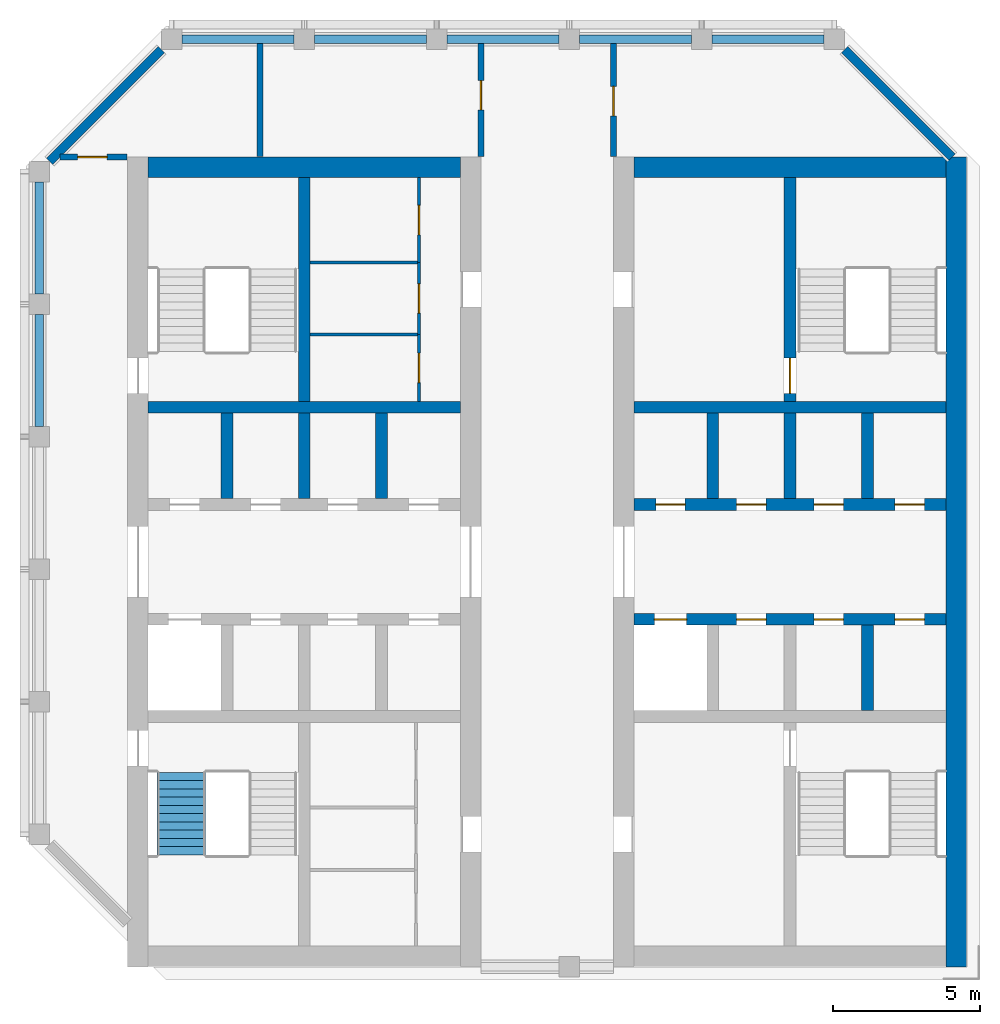
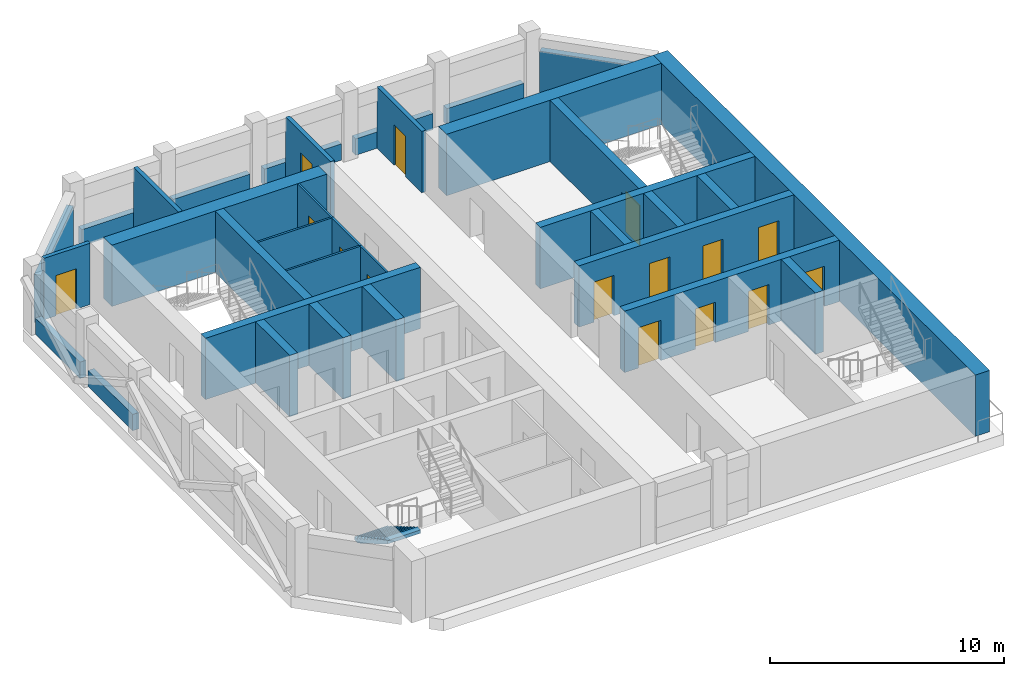
# One storey, part 3 of 5: 34 walls, 15 doors, 1 stair flight, 15 openings, 1 element without a shape of its own.
"""IFC4 building model written with IfcOpenShell, lengths in metres."""

from ifc_helpers import new_model, si_unit, direction, frame, frame_2d, origin, place, context, subcontext, project, spatial, polyline, rectangle, outline, extrude, material, layer, layer_set, type_object, element, fill, aggregate, save


model = new_model("IFC4")

# Units and contexts
model_context = context("Model", 3, precision=1e-05, world=origin(), true_north=direction((0.0, 1.0)))
body_context = subcontext(model_context, "Body", "Model", "MODEL_VIEW")
ifc_project = project(units=[si_unit("LENGTHUNIT", "METRE"), si_unit("AREAUNIT", "SQUARE_METRE"), si_unit("VOLUMEUNIT", "CUBIC_METRE"), si_unit("PLANEANGLEUNIT", "RADIAN"), si_unit("MASSUNIT", "GRAM", prefix="KILO")], contexts=[model_context])

# Site, building, storey
site_placement = place(None, origin())
site = spatial("IfcSite", under=ifc_project, at=site_placement, CompositionType="ELEMENT")
building_placement = place(site_placement, origin())
building = spatial("IfcBuilding", under=site, at=building_placement, Name="Corbel Stack Research Tower", CompositionType="ELEMENT")
storey_placement = place(building_placement, frame((0.0, 0.0, 326.199951171875)))
storey = spatial("IfcBuildingStorey", under=building, at=storey_placement, Name="L73", CompositionType="ELEMENT", Elevation=326.199951171875)

# Wall, opening, door
ifc_material_1 = material(Name="Concrete blockwork C20/25", Category="masonry")
ifc_layer_1 = layer(ifc_material_1, 0.199951171875)
ifc_layer_set_1 = layer_set([ifc_layer_1], Name="Concrete blockwork C20/25")
wall_type_1 = type_object("IfcWallType", Name="Blockwork partition 200", PredefinedType="PARTITIONING", material=ifc_layer_set_1)
wall_1_placement = place(storey_placement, frame((-12.794921875, 18.5, 0.0), z_axis=(0.0, 0.0, 1.0), x_axis=(1.0, 0.0, 0.0)))
wall_1 = element("IfcWall", 1, at=wall_1_placement, inside=storey, type_object=wall_type_1, Name="Partition L73-01", PredefinedType="PARTITIONING", context=body_context, shape_type="SweptSolid", body=[
    extrude(rectangle(XDim=2.27490234375, YDim=0.199951171875, at=frame_2d((1.137451171875, 0.0))), origin(), (0.0, 0.0, 1.0), 3.199951171875),
])
opening_1_placement = place(wall_1_placement, frame((0.594970703125, 0.0, 0.0)))
opening_1 = element("IfcOpeningElement", 2, at=opening_1_placement, cuts=wall_1, Name="Opening D73-01", PredefinedType="OPENING", context=body_context, shape_type="SweptSolid", body=[
    extrude(rectangle(XDim=1.0, YDim=2.10009765625, at=frame_2d((0.5, 1.050048828125))), frame((0.0, 0.10986328125, 0.0), z_axis=(0.0, -1.0, 0.0), x_axis=(1.0, 0.0, 0.0)), (0.0, 0.0, 1.0), 0.219970703125),
])
ifc_material_2 = material(Name="Steel, painted", Category="steel")
door_type_1 = type_object("IfcDoorType", Name="Steel door 1000 x 2100 FD60", OperationType="SINGLE_SWING_LEFT", PredefinedType="DOOR", material=ifc_material_2)
door_1_placement = place(opening_1_placement, origin())
door_1 = element("IfcDoor", 3, at=door_1_placement, inside=storey, type_object=door_type_1, Name="Roof level plant room door", OperationType="SINGLE_SWING_LEFT", OverallHeight=2.10009765625, OverallWidth=1.0, PredefinedType="DOOR", context=body_context, shape_type="SweptSolid", body=[
    extrude(rectangle(XDim=1.0, YDim=2.10009765625, at=frame_2d((0.5, 1.050048828125))), frame((0.0, 0.02490234375, 0.0), z_axis=(0.0, -1.0, 0.0), x_axis=(1.0, 0.0, 0.0)), (0.0, 0.0, 1.0), 0.050048828125),
])
fill(opening_1, door_1)

# Wall
wall_2_placement = place(storey_placement, frame((-6.0, 22.35498046875, 0.0), z_axis=(0.0, 0.0, 1.0), x_axis=(0.0, -1.0, 0.0)))
element("IfcWall", 4, at=wall_2_placement, inside=storey, type_object=wall_type_1, Name="Partition L73-02", PredefinedType="PARTITIONING", context=body_context, shape_type="SweptSolid", body=[
    extrude(rectangle(XDim=3.8349609375, YDim=0.199951171875, at=frame_2d((1.91748046875, 0.0))), origin(), (0.0, 0.0, 1.0), 3.199951171875),
])

# Wall, opening, door
wall_3_placement = place(storey_placement, frame((1.5, 18.52001953125, 0.0), z_axis=(0.0, 0.0, 1.0), x_axis=(0.0, 1.0, 0.0)))
wall_3 = element("IfcWall", 5, at=wall_3_placement, inside=storey, type_object=wall_type_1, Name="Partition L73-03", PredefinedType="PARTITIONING", context=body_context, shape_type="SweptSolid", body=[
    extrude(rectangle(XDim=3.8349609375, YDim=0.199951171875, at=frame_2d((1.91748046875, 0.0))), origin(), (0.0, 0.0, 1.0), 3.199951171875),
])
opening_2_placement = place(wall_3_placement, frame((1.580078125, 0.0, 0.0)))
opening_2 = element("IfcOpeningElement", 6, at=opening_2_placement, cuts=wall_3, Name="Opening D73-02", PredefinedType="OPENING", context=body_context, shape_type="SweptSolid", body=[
    extrude(rectangle(XDim=1.0, YDim=2.10009765625, at=frame_2d((0.5, 1.050048828125))), frame((0.0, 0.10986328125, 0.0), z_axis=(0.0, -1.0, 0.0), x_axis=(1.0, 0.0, 0.0)), (0.0, 0.0, 1.0), 0.219970703125),
])
door_2_placement = place(opening_2_placement, origin())
door_2 = element("IfcDoor", 7, at=door_2_placement, inside=storey, type_object=door_type_1, Name="Telecommunications riser room door", OperationType="SINGLE_SWING_LEFT", OverallHeight=2.10009765625, OverallWidth=1.0, PredefinedType="DOOR", context=body_context, shape_type="SweptSolid", body=[
    extrude(rectangle(XDim=1.0, YDim=2.10009765625, at=frame_2d((0.5, 1.050048828125))), frame((0.0, 0.02490234375, 0.0), z_axis=(0.0, -1.0, 0.0), x_axis=(1.0, 0.0, 0.0)), (0.0, 0.0, 1.0), 0.050048828125),
])
fill(opening_2, door_2)

wall_4_placement = place(storey_placement, frame((6.0, 22.35498046875, 0.0), z_axis=(0.0, 0.0, 1.0), x_axis=(0.0, -1.0, 0.0)))
wall_4 = element("IfcWall", 8, at=wall_4_placement, inside=storey, type_object=wall_type_1, Name="Partition L73-04", PredefinedType="PARTITIONING", context=body_context, shape_type="SweptSolid", body=[
    extrude(rectangle(XDim=3.8349609375, YDim=0.199951171875, at=frame_2d((1.91748046875, 0.0))), origin(), (0.0, 0.0, 1.0), 3.199951171875),
])
opening_3_placement = place(wall_4_placement, frame((1.455078125, 0.0, 0.0)))
opening_3 = element("IfcOpeningElement", 9, at=opening_3_placement, cuts=wall_4, Name="Opening D73-03", PredefinedType="OPENING", context=body_context, shape_type="SweptSolid", body=[
    extrude(rectangle(XDim=1.0, YDim=2.10009765625, at=frame_2d((0.5, 1.050048828125))), frame((0.0, 0.10986328125, 0.0), z_axis=(0.0, -1.0, 0.0), x_axis=(1.0, 0.0, 0.0)), (0.0, 0.0, 1.0), 0.219970703125),
])
door_3_placement = place(opening_3_placement, origin())
door_3 = element("IfcDoor", 10, at=door_3_placement, inside=storey, type_object=door_type_1, Name="Smoke extract fan room door", OperationType="SINGLE_SWING_LEFT", OverallHeight=2.10009765625, OverallWidth=1.0, PredefinedType="DOOR", context=body_context, shape_type="SweptSolid", body=[
    extrude(rectangle(XDim=1.0, YDim=2.10009765625, at=frame_2d((0.5, 1.050048828125))), frame((0.0, 0.02490234375, 0.0), z_axis=(0.0, -1.0, 0.0), x_axis=(1.0, 0.0, 0.0)), (0.0, 0.0, 1.0), 0.050048828125),
])
fill(opening_3, door_3)

# Walls
ifc_material_3 = material(Name="Concrete C60/75", Category="concrete")
ifc_layer_2 = layer(ifc_material_3, 0.39990234375)
ifc_layer_set_2 = layer_set([ifc_layer_2], Name="Concrete C60/75")
wall_type_2 = type_object("IfcWallType", Name="CW-400-60", PredefinedType="SHEAR", material=ifc_layer_set_2)
wall_5_placement = place(storey_placement, frame((-9.800048828125, 10.0, 0.0), z_axis=(0.0, 0.0, 1.0), x_axis=(1.0, 0.0, 0.0)))
element("IfcWall", 11, at=wall_5_placement, inside=storey, type_object=wall_type_2, Name="West core wall, north row back L73", PredefinedType="SHEAR", context=body_context, shape_type="SweptSolid", body=[
    extrude(rectangle(XDim=10.60009765625, YDim=0.39990234375, at=frame_2d((5.300048828125, 0.0))), origin(), (0.0, 0.0, 1.0), 3.199951171875),
])
for number, where, z_axis, x_axis, name in (
    (12, (-7.125, 6.89990234375, 0.0), (0.0, 0.0, 1.0), (0.0, 1.0, 0.0), "West core wall, north shaft 1 L73"),
    (13, (-4.5, 6.89990234375, 0.0), (0.0, 0.0, 1.0), (0.0, 1.0, 0.0), "West core wall, north shaft 2 L73"),
    (14, (-1.875, 6.89990234375, 0.0), (0.0, 0.0, 1.0), (0.0, 1.0, 0.0), "West core wall, north shaft 3 L73"),
):
    element("IfcWall", number, at=place(storey_placement, frame(where, z_axis=z_axis, x_axis=x_axis)), inside=storey, type_object=wall_type_2, Name=name, PredefinedType="SHEAR", context=body_context, shape_type="SweptSolid", body=[
        extrude(rectangle(XDim=2.900146484375, YDim=0.39990234375, at=frame_2d((1.4501953125, 0.0))), origin(), (0.0, 0.0, 1.0), 3.199951171875),
    ])
wall_6_placement = place(storey_placement, frame((-4.5, 10.199951171875, 0.0), z_axis=(0.0, 0.0, 1.0), x_axis=(0.0, 1.0, 0.0)))
element("IfcWall", 15, at=wall_6_placement, inside=storey, type_object=wall_type_2, Name="West core wall, north stair and riser L73", PredefinedType="SHEAR", context=body_context, shape_type="SweptSolid", body=[
    extrude(rectangle(XDim=7.60009765625, YDim=0.39990234375, at=frame_2d((3.800048828125, 0.0))), origin(), (0.0, 0.0, 1.0), 3.199951171875),
])

# Wall, openings, doors
wall_7_placement = place(storey_placement, frame((6.699951171875, 2.800048828125, 0.0), z_axis=(0.0, 0.0, 1.0), x_axis=(1.0, 0.0, 0.0)))
wall_7 = element("IfcWall", 16, at=wall_7_placement, inside=storey, type_object=wall_type_2, Name="East core wall, lobby south L73", PredefinedType="SHEAR", context=body_context, shape_type="SweptSolid", body=[
    extrude(rectangle(XDim=10.60009765625, YDim=0.39990234375, at=frame_2d((5.300048828125, 0.0))), origin(), (0.0, 0.0, 1.0), 3.199951171875),
])
opening_4_placement = place(wall_7_placement, frame((0.6875, 0.0, 0.0)))
opening_4 = element("IfcOpeningElement", 17, at=opening_4_placement, cuts=wall_7, Name="Opening LD-FS2", PredefinedType="OPENING", context=body_context, shape_type="SweptSolid", body=[
    extrude(rectangle(XDim=1.10009765625, YDim=2.10009765625, at=frame_2d((0.550048828125, 1.050048828125))), frame((0.0, 0.2099609375, 0.0), z_axis=(0.0, -1.0, 0.0), x_axis=(1.0, 0.0, 0.0)), (0.0, 0.0, 1.0), 0.419921875),
])
opening_5_placement = place(wall_7_placement, frame((3.487548828125, 0.0, 0.0)))
opening_5 = element("IfcOpeningElement", 18, at=opening_5_placement, cuts=wall_7, Name="Opening CR-E12v-S2", PredefinedType="OPENING", context=body_context, shape_type="SweptSolid", body=[
    extrude(rectangle(XDim=1.0, YDim=2.10009765625, at=frame_2d((0.5, 1.050048828125))), frame((0.0, 0.2099609375, 0.0), z_axis=(0.0, -1.0, 0.0), x_axis=(1.0, 0.0, 0.0)), (0.0, 0.0, 1.0), 0.419921875),
])
opening_6_placement = place(wall_7_placement, frame((6.112548828125, 0.0, 0.0)))
opening_6 = element("IfcOpeningElement", 19, at=opening_6_placement, cuts=wall_7, Name="Opening CR-E12v-S3", PredefinedType="OPENING", context=body_context, shape_type="SweptSolid", body=[
    extrude(rectangle(XDim=1.0, YDim=2.10009765625, at=frame_2d((0.5, 1.050048828125))), frame((0.0, 0.2099609375, 0.0), z_axis=(0.0, -1.0, 0.0), x_axis=(1.0, 0.0, 0.0)), (0.0, 0.0, 1.0), 0.419921875),
])
opening_7_placement = place(wall_7_placement, frame((8.862548828125, 0.0, 0.0)))
opening_7 = element("IfcOpeningElement", 20, at=opening_7_placement, cuts=wall_7, Name="Opening CR-E12v-S4", PredefinedType="OPENING", context=body_context, shape_type="SweptSolid", body=[
    extrude(rectangle(XDim=1.0, YDim=2.10009765625, at=frame_2d((0.5, 1.050048828125))), frame((0.0, 0.2099609375, 0.0), z_axis=(0.0, -1.0, 0.0), x_axis=(1.0, 0.0, 0.0)), (0.0, 0.0, 1.0), 0.419921875),
])
ifc_material_4 = material(Name="Stainless steel landing door", Category="steel")
door_type_2 = type_object("IfcDoorType", Name="Lift landing door 1100 x 2100", OperationType="DOUBLE_DOOR_SLIDING", PredefinedType="DOOR", material=ifc_material_4)
door_4_placement = place(opening_4_placement, origin())
door_4 = element("IfcDoor", 21, at=door_4_placement, inside=storey, type_object=door_type_2, Name="Landing door FS2", OperationType="DOUBLE_DOOR_SLIDING", OverallHeight=2.10009765625, OverallWidth=1.10009765625, PredefinedType="DOOR", context=body_context, shape_type="SweptSolid", body=[
    extrude(rectangle(XDim=1.10009765625, YDim=2.10009765625, at=frame_2d((0.550048828125, 1.050048828125))), frame((0.0, 0.02490234375, 0.0), z_axis=(0.0, -1.0, 0.0), x_axis=(1.0, 0.0, 0.0)), (0.0, 0.0, 1.0), 0.050048828125),
])
fill(opening_4, door_4)
ifc_material_5 = material(Name="Painted steel door", Category="steel")
door_type_3 = type_object("IfcDoorType", Name="Service door 1000 x 2100 FD60 left hand", OperationType="SINGLE_SWING_LEFT", PredefinedType="DOOR", material=ifc_material_5)
door_5_placement = place(opening_6_placement, origin())
door_5 = element("IfcDoor", 22, at=door_5_placement, inside=storey, type_object=door_type_3, Name="Electrical switch room door E core", OperationType="SINGLE_SWING_LEFT", OverallHeight=2.10009765625, OverallWidth=1.0, PredefinedType="DOOR", context=body_context, shape_type="SweptSolid", body=[
    extrude(rectangle(XDim=1.0, YDim=2.10009765625, at=frame_2d((0.5, 1.050048828125))), frame((0.0, 0.02490234375, 0.0), z_axis=(0.0, -1.0, 0.0), x_axis=(1.0, 0.0, 0.0)), (0.0, 0.0, 1.0), 0.050048828125),
])
fill(opening_6, door_5)
ifc_material_6 = material(Name="Painted steel door", Category="steel")
door_type_4 = type_object("IfcDoorType", Name="Service door 1000 x 2100 FD60 right hand", OperationType="SINGLE_SWING_RIGHT", PredefinedType="DOOR", material=ifc_material_6)
door_6_placement = place(opening_5_placement, origin())
door_6 = element("IfcDoor", 23, at=door_6_placement, inside=storey, type_object=door_type_4, Name="Electrical switch room door E core", OperationType="SINGLE_SWING_RIGHT", OverallHeight=2.10009765625, OverallWidth=1.0, PredefinedType="DOOR", context=body_context, shape_type="SweptSolid", body=[
    extrude(rectangle(XDim=1.0, YDim=2.10009765625, at=frame_2d((0.5, 1.050048828125))), frame((0.0, 0.02490234375, 0.0), z_axis=(0.0, -1.0, 0.0), x_axis=(1.0, 0.0, 0.0)), (0.0, 0.0, 1.0), 0.050048828125),
])
fill(opening_5, door_6)
door_7_placement = place(opening_7_placement, origin())
door_7 = element("IfcDoor", 24, at=door_7_placement, inside=storey, type_object=door_type_4, Name="Electrical switch room door E core", OperationType="SINGLE_SWING_RIGHT", OverallHeight=2.10009765625, OverallWidth=1.0, PredefinedType="DOOR", context=body_context, shape_type="SweptSolid", body=[
    extrude(rectangle(XDim=1.0, YDim=2.10009765625, at=frame_2d((0.5, 1.050048828125))), frame((0.0, 0.02490234375, 0.0), z_axis=(0.0, -1.0, 0.0), x_axis=(1.0, 0.0, 0.0)), (0.0, 0.0, 1.0), 0.050048828125),
])
fill(opening_7, door_7)

wall_8_placement = place(storey_placement, frame((6.699951171875, 6.699951171875, 0.0), z_axis=(0.0, 0.0, 1.0), x_axis=(1.0, 0.0, 0.0)))
wall_8 = element("IfcWall", 25, at=wall_8_placement, inside=storey, type_object=wall_type_2, Name="East core wall, lobby north L73", PredefinedType="SHEAR", context=body_context, shape_type="SweptSolid", body=[
    extrude(rectangle(XDim=10.60009765625, YDim=0.39990234375, at=frame_2d((5.300048828125, 0.0))), origin(), (0.0, 0.0, 1.0), 3.199951171875),
])
opening_8_placement = place(wall_8_placement, frame((0.737548828125, 0.0, 0.0)))
opening_8 = element("IfcOpeningElement", 26, at=opening_8_placement, cuts=wall_8, Name="Opening CR-E12v-N1", PredefinedType="OPENING", context=body_context, shape_type="SweptSolid", body=[
    extrude(rectangle(XDim=1.0, YDim=2.10009765625, at=frame_2d((0.5, 1.050048828125))), frame((0.0, 0.2099609375, 0.0), z_axis=(0.0, -1.0, 0.0), x_axis=(1.0, 0.0, 0.0)), (0.0, 0.0, 1.0), 0.419921875),
])
opening_9_placement = place(wall_8_placement, frame((3.487548828125, 0.0, 0.0)))
opening_9 = element("IfcOpeningElement", 27, at=opening_9_placement, cuts=wall_8, Name="Opening CR-E12v-N2", PredefinedType="OPENING", context=body_context, shape_type="SweptSolid", body=[
    extrude(rectangle(XDim=1.0, YDim=2.10009765625, at=frame_2d((0.5, 1.050048828125))), frame((0.0, 0.2099609375, 0.0), z_axis=(0.0, -1.0, 0.0), x_axis=(1.0, 0.0, 0.0)), (0.0, 0.0, 1.0), 0.419921875),
])
opening_10_placement = place(wall_8_placement, frame((6.112548828125, 0.0, 0.0)))
opening_10 = element("IfcOpeningElement", 28, at=opening_10_placement, cuts=wall_8, Name="Opening CR-E12v-N3", PredefinedType="OPENING", context=body_context, shape_type="SweptSolid", body=[
    extrude(rectangle(XDim=1.0, YDim=2.10009765625, at=frame_2d((0.5, 1.050048828125))), frame((0.0, 0.2099609375, 0.0), z_axis=(0.0, -1.0, 0.0), x_axis=(1.0, 0.0, 0.0)), (0.0, 0.0, 1.0), 0.419921875),
])
opening_11_placement = place(wall_8_placement, frame((8.862548828125, 0.0, 0.0)))
opening_11 = element("IfcOpeningElement", 29, at=opening_11_placement, cuts=wall_8, Name="Opening CR-E12v-N4", PredefinedType="OPENING", context=body_context, shape_type="SweptSolid", body=[
    extrude(rectangle(XDim=1.0, YDim=2.10009765625, at=frame_2d((0.5, 1.050048828125))), frame((0.0, 0.2099609375, 0.0), z_axis=(0.0, -1.0, 0.0), x_axis=(1.0, 0.0, 0.0)), (0.0, 0.0, 1.0), 0.419921875),
])
door_8_placement = place(opening_8_placement, origin())
door_8 = element("IfcDoor", 30, at=door_8_placement, inside=storey, type_object=door_type_3, Name="Electrical switch room door E core", OperationType="SINGLE_SWING_LEFT", OverallHeight=2.10009765625, OverallWidth=1.0, PredefinedType="DOOR", context=body_context, shape_type="SweptSolid", body=[
    extrude(rectangle(XDim=1.0, YDim=2.10009765625, at=frame_2d((0.5, 1.050048828125))), frame((0.0, 0.02490234375, 0.0), z_axis=(0.0, -1.0, 0.0), x_axis=(1.0, 0.0, 0.0)), (0.0, 0.0, 1.0), 0.050048828125),
])
fill(opening_8, door_8)
door_9_placement = place(opening_10_placement, origin())
door_9 = element("IfcDoor", 31, at=door_9_placement, inside=storey, type_object=door_type_3, Name="Telecom plant room door E core", OperationType="SINGLE_SWING_LEFT", OverallHeight=2.10009765625, OverallWidth=1.0, PredefinedType="DOOR", context=body_context, shape_type="SweptSolid", body=[
    extrude(rectangle(XDim=1.0, YDim=2.10009765625, at=frame_2d((0.5, 1.050048828125))), frame((0.0, 0.02490234375, 0.0), z_axis=(0.0, -1.0, 0.0), x_axis=(1.0, 0.0, 0.0)), (0.0, 0.0, 1.0), 0.050048828125),
])
fill(opening_10, door_9)
door_10_placement = place(opening_9_placement, origin())
door_10 = element("IfcDoor", 32, at=door_10_placement, inside=storey, type_object=door_type_4, Name="Telecom plant room door E core", OperationType="SINGLE_SWING_RIGHT", OverallHeight=2.10009765625, OverallWidth=1.0, PredefinedType="DOOR", context=body_context, shape_type="SweptSolid", body=[
    extrude(rectangle(XDim=1.0, YDim=2.10009765625, at=frame_2d((0.5, 1.050048828125))), frame((0.0, 0.02490234375, 0.0), z_axis=(0.0, -1.0, 0.0), x_axis=(1.0, 0.0, 0.0)), (0.0, 0.0, 1.0), 0.050048828125),
])
fill(opening_9, door_10)
door_11_placement = place(opening_11_placement, origin())
door_11 = element("IfcDoor", 33, at=door_11_placement, inside=storey, type_object=door_type_4, Name="Telecom plant room door E core", OperationType="SINGLE_SWING_RIGHT", OverallHeight=2.10009765625, OverallWidth=1.0, PredefinedType="DOOR", context=body_context, shape_type="SweptSolid", body=[
    extrude(rectangle(XDim=1.0, YDim=2.10009765625, at=frame_2d((0.5, 1.050048828125))), frame((0.0, 0.02490234375, 0.0), z_axis=(0.0, -1.0, 0.0), x_axis=(1.0, 0.0, 0.0)), (0.0, 0.0, 1.0), 0.050048828125),
])
fill(opening_11, door_11)

# Walls
wall_9_placement = place(storey_placement, frame((6.699951171875, 10.0, 0.0), z_axis=(0.0, 0.0, 1.0), x_axis=(1.0, 0.0, 0.0)))
element("IfcWall", 34, at=wall_9_placement, inside=storey, type_object=wall_type_2, Name="East core wall, north row back L73", PredefinedType="SHEAR", context=body_context, shape_type="SweptSolid", body=[
    extrude(rectangle(XDim=10.60009765625, YDim=0.39990234375, at=frame_2d((5.300048828125, 0.0))), origin(), (0.0, 0.0, 1.0), 3.199951171875),
])
for number, where, z_axis, x_axis, name in (
    (35, (9.375, 6.89990234375, 0.0), (0.0, 0.0, 1.0), (0.0, 1.0, 0.0), "East core wall, north shaft 1 L73"),
    (36, (12.0, 6.89990234375, 0.0), (0.0, 0.0, 1.0), (0.0, 1.0, 0.0), "East core wall, north shaft 2 L73"),
    (37, (14.625, -0.300048828125, 0.0), (0.0, 0.0, 1.0), (0.0, 1.0, 0.0), "East core wall, south shaft 3 L73"),
    (38, (14.625, 6.89990234375, 0.0), (0.0, 0.0, 1.0), (0.0, 1.0, 0.0), "East core wall, north shaft 3 L73"),
):
    element("IfcWall", number, at=place(storey_placement, frame(where, z_axis=z_axis, x_axis=x_axis)), inside=storey, type_object=wall_type_2, Name=name, PredefinedType="SHEAR", context=body_context, shape_type="SweptSolid", body=[
        extrude(rectangle(XDim=2.900146484375, YDim=0.39990234375, at=frame_2d((1.4501953125, 0.0))), origin(), (0.0, 0.0, 1.0), 3.199951171875),
    ])

# Wall, opening, door
wall_10_placement = place(storey_placement, frame((12.0, 10.199951171875, 0.0), z_axis=(0.0, 0.0, 1.0), x_axis=(0.0, 1.0, 0.0)))
wall_10 = element("IfcWall", 39, at=wall_10_placement, inside=storey, type_object=wall_type_2, Name="East core wall, north stair and riser L73", PredefinedType="SHEAR", context=body_context, shape_type="SweptSolid", body=[
    extrude(rectangle(XDim=7.60009765625, YDim=0.39990234375, at=frame_2d((3.800048828125, 0.0))), origin(), (0.0, 0.0, 1.0), 3.199951171875),
])
opening_12_placement = place(wall_10_placement, frame((0.27490234375, 0.0, 0.0)))
opening_12 = element("IfcOpeningElement", 40, at=opening_12_placement, cuts=wall_10, Name="Opening SD-ST-E2", PredefinedType="OPENING", context=body_context, shape_type="SweptSolid", body=[
    extrude(rectangle(XDim=1.199951171875, YDim=2.10009765625, at=frame_2d((0.60009765625, 1.050048828125))), frame((0.0, 0.2099609375, 0.0), z_axis=(0.0, -1.0, 0.0), x_axis=(1.0, 0.0, 0.0)), (0.0, 0.0, 1.0), 0.419921875),
])
ifc_material_7 = material(Name="Painted steel fire door", Category="steel")
door_type_5 = type_object("IfcDoorType", Name="Stair door 1200 x 2100 FD90 right hand", OperationType="SINGLE_SWING_RIGHT", PredefinedType="DOOR", material=ifc_material_7)
door_12_placement = place(opening_12_placement, origin())
door_12 = element("IfcDoor", 41, at=door_12_placement, inside=storey, type_object=door_type_5, Name="Stair door ST-E2", OperationType="SINGLE_SWING_RIGHT", OverallHeight=2.10009765625, OverallWidth=1.199951171875, PredefinedType="DOOR", context=body_context, shape_type="SweptSolid", body=[
    extrude(rectangle(XDim=1.199951171875, YDim=2.10009765625, at=frame_2d((0.60009765625, 1.050048828125))), frame((0.0, 0.02490234375, 0.0), z_axis=(0.0, -1.0, 0.0), x_axis=(1.0, 0.0, 0.0)), (0.0, 0.0, 1.0), 0.050048828125),
])
fill(opening_12, door_12)

# Walls
ifc_material_8 = material(Name="Concrete C60/75", Category="concrete")
ifc_layer_3 = layer(ifc_material_8, 0.699951171875)
ifc_layer_set_3 = layer_set([ifc_layer_3], Name="Concrete C60/75")
wall_type_3 = type_object("IfcWallType", Name="CW-700-60", PredefinedType="SHEAR", material=ifc_layer_set_3)
wall_11_placement = place(storey_placement, frame((-9.800048828125, 18.14990234375, 0.0), z_axis=(0.0, 0.0, 1.0), x_axis=(1.0, 0.0, 0.0)))
element("IfcWall", 42, at=wall_11_placement, inside=storey, type_object=wall_type_3, Name="West core wall, north end L73", PredefinedType="SHEAR", context=body_context, shape_type="SweptSolid", body=[
    extrude(rectangle(XDim=10.60009765625, YDim=0.699951171875, at=frame_2d((5.300048828125, 0.0))), origin(), (0.0, 0.0, 1.0), 3.199951171875),
])
wall_12_placement = place(storey_placement, frame((17.64990234375, -9.0, 0.0), z_axis=(0.0, 0.0, 1.0), x_axis=(0.0, 1.0, 0.0)))
element("IfcWall", 43, at=wall_12_placement, inside=storey, type_object=wall_type_3, Name="East core wall, east face L73", PredefinedType="SHEAR", context=body_context, shape_type="SweptSolid", body=[
    extrude(rectangle(XDim=27.5, YDim=0.699951171875, at=frame_2d((13.75, 0.0))), origin(), (0.0, 0.0, 1.0), 3.199951171875),
])
wall_13_placement = place(storey_placement, frame((6.699951171875, 18.14990234375, 0.0), z_axis=(0.0, 0.0, 1.0), x_axis=(1.0, 0.0, 0.0)))
element("IfcWall", 44, at=wall_13_placement, inside=storey, type_object=wall_type_3, Name="East core wall, north end L73", PredefinedType="SHEAR", context=body_context, shape_type="SweptSolid", body=[
    extrude(rectangle(XDim=10.60009765625, YDim=0.699951171875, at=frame_2d((5.300048828125, 0.0))), origin(), (0.0, 0.0, 1.0), 3.199951171875),
])

# Wall, opening, door
ifc_material_9 = material(Name="Gypsum board")
ifc_layer_4 = layer(ifc_material_9, 0.10009765625)
ifc_layer_set_4 = layer_set([ifc_layer_4], Name="Gypsum board")
wall_type_4 = type_object("IfcWallType", Name="Core partition 100", PredefinedType="PARTITIONING", material=ifc_layer_set_4)
wall_14_placement = place(storey_placement, frame((-0.60009765625, 10.199951171875, 0.0), z_axis=(0.0, 0.0, 1.0), x_axis=(0.0, 1.0, 0.0)))
wall_14 = element("IfcWall", 45, at=wall_14_placement, inside=storey, type_object=wall_type_4, Name="Core partition W", PredefinedType="PARTITIONING", context=body_context, shape_type="SweptSolid", body=[
    extrude(rectangle(XDim=2.280029296875, YDim=0.10009765625, at=frame_2d((1.14013671875, 0.0))), origin(), (0.0, 0.0, 1.0), 3.199951171875),
])
opening_13_placement = place(wall_14_placement, frame((0.639892578125, 0.0, 0.0)))
opening_13 = element("IfcOpeningElement", 46, at=opening_13_placement, cuts=wall_14, Name="Opening CR-W12-R2-1000", PredefinedType="OPENING", context=body_context, shape_type="SweptSolid", body=[
    extrude(rectangle(XDim=1.0, YDim=2.10009765625, at=frame_2d((0.5, 1.050048828125))), frame((0.0, 0.06005859375, 0.0), z_axis=(0.0, -1.0, 0.0), x_axis=(1.0, 0.0, 0.0)), (0.0, 0.0, 1.0), 0.1201171875),
])
ifc_material_10 = material(Name="Painted steel door", Category="steel")
door_type_6 = type_object("IfcDoorType", Name="Riser door 1000 x 2100 FD60 right hand", OperationType="SINGLE_SWING_RIGHT", PredefinedType="DOOR", material=ifc_material_10)
door_13_placement = place(opening_13_placement, origin())
door_13 = element("IfcDoor", 47, at=door_13_placement, inside=storey, type_object=door_type_6, Name="Mechanical riser door W core", OperationType="SINGLE_SWING_RIGHT", OverallHeight=2.10009765625, OverallWidth=1.0, PredefinedType="DOOR", context=body_context, shape_type="SweptSolid", body=[
    extrude(rectangle(XDim=1.0, YDim=2.10009765625, at=frame_2d((0.5, 1.050048828125))), frame((0.0, 0.02490234375, 0.0), z_axis=(0.0, -1.0, 0.0), x_axis=(1.0, 0.0, 0.0)), (0.0, 0.0, 1.0), 0.050048828125),
])
fill(opening_13, door_13)

wall_15_placement = place(storey_placement, frame((-0.60009765625, 12.47998046875, 0.0), z_axis=(0.0, 0.0, 1.0), x_axis=(0.0, 1.0, 0.0)))
wall_15 = element("IfcWall", 48, at=wall_15_placement, inside=storey, type_object=wall_type_4, Name="Core partition W", PredefinedType="PARTITIONING", context=body_context, shape_type="SweptSolid", body=[
    extrude(rectangle(XDim=2.43212890625, YDim=0.10009765625, at=frame_2d((1.216064453125, 0.0))), origin(), (0.0, 0.0, 1.0), 3.199951171875),
])
opening_14_placement = place(wall_15_placement, frame((0.716064453125, 0.0, 0.0)))
opening_14 = element("IfcOpeningElement", 49, at=opening_14_placement, cuts=wall_15, Name="Opening CR-W12-R3-1000", PredefinedType="OPENING", context=body_context, shape_type="SweptSolid", body=[
    extrude(rectangle(XDim=1.0, YDim=2.10009765625, at=frame_2d((0.5, 1.050048828125))), frame((0.0, 0.06005859375, 0.0), z_axis=(0.0, -1.0, 0.0), x_axis=(1.0, 0.0, 0.0)), (0.0, 0.0, 1.0), 0.1201171875),
])
ifc_material_11 = material(Name="Painted steel door", Category="steel")
door_type_7 = type_object("IfcDoorType", Name="Service door 1000 x 2100 FD30 left hand", OperationType="SINGLE_SWING_LEFT", PredefinedType="DOOR", material=ifc_material_11)
door_14_placement = place(opening_14_placement, origin())
door_14 = element("IfcDoor", 50, at=door_14_placement, inside=storey, type_object=door_type_7, Name="Pantry door W core", OperationType="SINGLE_SWING_LEFT", OverallHeight=2.10009765625, OverallWidth=1.0, PredefinedType="DOOR", context=body_context, shape_type="SweptSolid", body=[
    extrude(rectangle(XDim=1.0, YDim=2.10009765625, at=frame_2d((0.5, 1.050048828125))), frame((0.0, 0.02490234375, 0.0), z_axis=(0.0, -1.0, 0.0), x_axis=(1.0, 0.0, 0.0)), (0.0, 0.0, 1.0), 0.050048828125),
])
fill(opening_14, door_14)

wall_16_placement = place(storey_placement, frame((-0.60009765625, 14.912109375, 0.0), z_axis=(0.0, 0.0, 1.0), x_axis=(0.0, 1.0, 0.0)))
wall_16 = element("IfcWall", 51, at=wall_16_placement, inside=storey, type_object=wall_type_4, Name="Core partition W", PredefinedType="PARTITIONING", context=body_context, shape_type="SweptSolid", body=[
    extrude(rectangle(XDim=2.887939453125, YDim=0.10009765625, at=frame_2d((1.44384765625, 0.0))), origin(), (0.0, 0.0, 1.0), 3.199951171875),
])
opening_15_placement = place(wall_16_placement, frame((0.944091796875, 0.0, 0.0)))
opening_15 = element("IfcOpeningElement", 52, at=opening_15_placement, cuts=wall_16, Name="Opening CR-W12-R4-1000", PredefinedType="OPENING", context=body_context, shape_type="SweptSolid", body=[
    extrude(rectangle(XDim=1.0, YDim=2.10009765625, at=frame_2d((0.5, 1.050048828125))), frame((0.0, 0.06005859375, 0.0), z_axis=(0.0, -1.0, 0.0), x_axis=(1.0, 0.0, 0.0)), (0.0, 0.0, 1.0), 0.1201171875),
])
door_15_placement = place(opening_15_placement, origin())
door_15 = element("IfcDoor", 53, at=door_15_placement, inside=storey, type_object=door_type_6, Name="Electrical plant riser door W core", OperationType="SINGLE_SWING_RIGHT", OverallHeight=2.10009765625, OverallWidth=1.0, PredefinedType="DOOR", context=body_context, shape_type="SweptSolid", body=[
    extrude(rectangle(XDim=1.0, YDim=2.10009765625, at=frame_2d((0.5, 1.050048828125))), frame((0.0, 0.02490234375, 0.0), z_axis=(0.0, -1.0, 0.0), x_axis=(1.0, 0.0, 0.0)), (0.0, 0.0, 1.0), 0.050048828125),
])
fill(opening_15, door_15)

# Walls
for number, where, z_axis, x_axis, name in (
    (54, (-4.300048828125, 12.47998046875, 0.0), (0.0, 0.0, 1.0), (1.0, 0.0, 0.0), "Core partition W"),
    (55, (-4.300048828125, 14.912109375, 0.0), (0.0, 0.0, 1.0), (1.0, 0.0, 0.0), "Core partition W"),
):
    element("IfcWall", number, at=place(storey_placement, frame(where, z_axis=z_axis, x_axis=x_axis)), inside=storey, type_object=wall_type_4, Name=name, PredefinedType="PARTITIONING", context=body_context, shape_type="SweptSolid", body=[
        extrude(rectangle(XDim=3.699951171875, YDim=0.10009765625, at=frame_2d((1.85009765625, 0.0))), origin(), (0.0, 0.0, 1.0), 3.199951171875),
    ])
ifc_material_12 = material(Name="Concrete C45/55", Category="concrete")
ifc_layer_5 = layer(ifc_material_12, 0.300048828125)
ifc_layer_set_5 = layer_set([ifc_layer_5], Name="Concrete C45/55")
wall_type_5 = type_object("IfcWallType", Name="Precast plant wall 300 C45/55", PredefinedType="SOLIDWALL", material=ifc_layer_set_5)
wall_17_placement = place(storey_placement, frame((17.5, 18.5, 0.0), z_axis=(0.0, 0.0, 1.0), x_axis=(-0.707106781187, 0.707106781187, 0.0)))
element("IfcWall", 56, at=wall_17_placement, inside=storey, type_object=wall_type_5, Name="Plant wall L73-03", PredefinedType="SOLIDWALL", context=body_context, shape_type="SweptSolid", body=[
    extrude(rectangle(XDim=5.16162109375, YDim=0.300048828125, at=frame_2d((2.580810546875, 0.0))), origin(), (0.0, 0.0, 1.0), 2.5),
])
for number, where, z_axis, x_axis, name in (
    (57, (13.14990234375, 22.5, 0.0), (0.0, 0.0, 1.0), (-1.0, 0.0, 0.0), "Plant wall base L73-04"),
    (58, (8.64990234375, 22.5, 0.0), (0.0, 0.0, 1.0), (-1.0, 0.0, 0.0), "Plant wall base L73-05"),
    (59, (4.14990234375, 22.5, 0.0), (0.0, 0.0, 1.0), (-1.0, 0.0, 0.0), "Plant wall base L73-06"),
    (60, (-0.35009765625, 22.5, 0.0), (0.0, 0.0, 1.0), (-1.0, 0.0, 0.0), "Plant wall base L73-07"),
    (61, (-4.85009765625, 22.5, 0.0), (0.0, 0.0, 1.0), (-1.0, 0.0, 0.0), "Plant wall base L73-08"),
):
    element("IfcWall", number, at=place(storey_placement, frame(where, z_axis=z_axis, x_axis=x_axis)), inside=storey, type_object=wall_type_5, Name=name, PredefinedType="SOLIDWALL", context=body_context, shape_type="SweptSolid", body=[
        extrude(rectangle(XDim=3.7998046875, YDim=0.300048828125, at=frame_2d((1.89990234375, 0.0))), origin(), (0.0, 0.0, 1.0), 0.85009765625),
    ])
wall_18_placement = place(storey_placement, frame((-9.35009765625, 22.14990234375, 0.0), z_axis=(0.0, 0.0, 1.0), x_axis=(-0.707106781187, -0.707106781187, 0.0)))
element("IfcWall", 62, at=wall_18_placement, inside=storey, type_object=wall_type_5, Name="Plant wall L73-09", PredefinedType="SOLIDWALL", context=body_context, shape_type="SweptSolid", body=[
    extrude(rectangle(XDim=5.373779296875, YDim=0.300048828125, at=frame_2d((2.68701171875, 0.0))), origin(), (0.0, 0.0, 1.0), 2.5),
])
for number, where, z_axis, x_axis, name in (
    (63, (-13.5, 17.64990234375, 0.0), (0.0, 0.0, 1.0), (0.0, -1.0, 0.0), "Plant wall base L73-10"),
    (64, (-13.5, 13.14990234375, 0.0), (0.0, 0.0, 1.0), (0.0, -1.0, 0.0), "Plant wall base L73-11"),
):
    element("IfcWall", number, at=place(storey_placement, frame(where, z_axis=z_axis, x_axis=x_axis)), inside=storey, type_object=wall_type_5, Name=name, PredefinedType="SOLIDWALL", context=body_context, shape_type="SweptSolid", body=[
        extrude(rectangle(XDim=3.7998046875, YDim=0.300048828125, at=frame_2d((1.89990234375, 0.0))), origin(), (0.0, 0.0, 1.0), 0.85009765625),
    ])

# Stair, stair flight
ifc_material_13 = material(Name="Concrete C40/50", Category="concrete")
stair_type = type_object("IfcStairType", Name="Exit stair 22 risers", PredefinedType="HALF_TURN_STAIR", material=ifc_material_13)
stair_placement = place(storey_placement, origin())
stair = element("IfcStair", 65, at=stair_placement, inside=storey, type_object=stair_type, Name="L73 Exit stair ST-W1", PredefinedType="HALF_TURN_STAIR")
ifc_material_14 = material(Name="Concrete C40/50", Category="concrete")
stair_flight_type = type_object("IfcStairFlightType", Name="Stair flight 11 risers", PredefinedType="STRAIGHT", material=ifc_material_14)
stair_flight_placement = place(storey_placement, frame((-8.675048828125, -2.39990234375, 0.0), z_axis=(0.0, 0.0, 1.0), x_axis=(0.0, -1.0, 0.0)))
stair_flight = element("IfcStairFlight", 66, at=stair_flight_placement, type_object=stair_flight_type, Name="ST-W1 flight 1", NumberOfRisers=11, NumberOfTreads=10, PredefinedType="STRAIGHT", RiserHeight=0.163636364, TreadLength=0.28, context=body_context, shape_type="SweptSolid", body=[
    extrude(outline(polyline([(0.0, 0.0), (0.0, 0.16357421875), (0.280029296875, 0.16357421875), (0.280029296875, 0.327392578125), (0.56005859375, 0.327392578125), (0.56005859375, 0.490966796875), (0.840087890625, 0.490966796875), (0.840087890625, 0.654541015625), (1.1201171875, 0.654541015625), (1.1201171875, 0.818115234375), (1.39990234375, 0.818115234375), (1.39990234375, 0.98193359375), (1.679931640625, 0.98193359375), (1.679931640625, 1.1455078125), (1.9599609375, 1.1455078125), (1.9599609375, 1.30908203125), (2.239990234375, 1.30908203125), (2.239990234375, 1.47265625), (2.52001953125, 1.47265625), (2.52001953125, 1.636474609375), (2.800048828125, 1.636474609375), (2.800048828125, 1.800048828125), (2.800048828125, 1.462646484375), (0.297119140625, 0.0), (0.0, 0.0)])), frame((0.0, 0.824951171875, 0.0), z_axis=(0.0, -1.0, 0.0), x_axis=(1.0, 0.0, 0.0)), (0.0, 0.0, 1.0), 1.64990234375),
])
aggregate(stair, [stair_flight])

save(model, "model.ifc")
